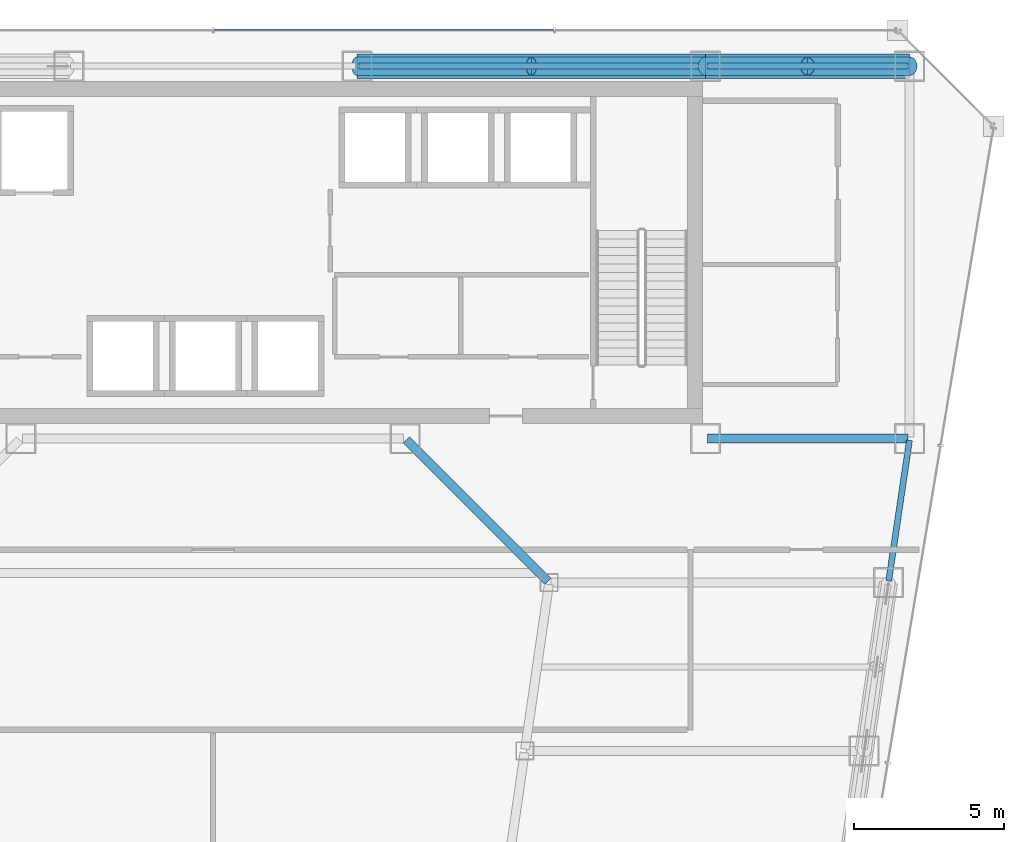
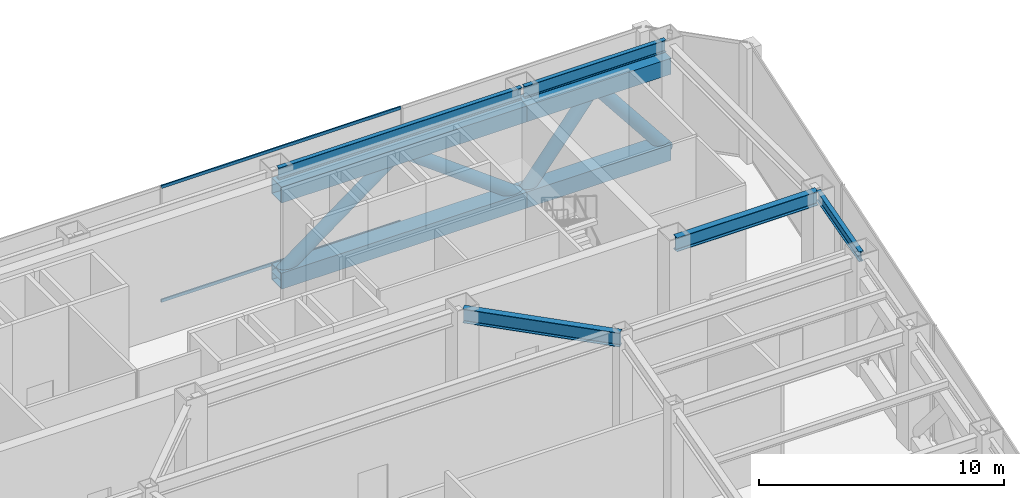
# One storey, part 21 of 30: 10 members, 5 beams, 1 element without a shape of its own.
"""IFC4 building model written with IfcOpenShell, lengths in metres."""

from ifc_helpers import new_model, si_unit, direction, frame, origin, origin_2d, place, context, subcontext, project, spatial, hollow_rectangle, hollow_circle, i_section, extrude, material, material_profile, profile_set, type_object, element, aggregate, save


model = new_model("IFC4")

# Units and contexts
model_context = context("Model", 3, precision=1e-05, world=origin(), true_north=direction((0.0, 1.0)))
body_context = subcontext(model_context, "Body", "Model", "MODEL_VIEW")
ifc_project = project(units=[si_unit("LENGTHUNIT", "METRE"), si_unit("AREAUNIT", "SQUARE_METRE"), si_unit("VOLUMEUNIT", "CUBIC_METRE"), si_unit("PLANEANGLEUNIT", "RADIAN"), si_unit("MASSUNIT", "GRAM", prefix="KILO")], contexts=[model_context])

# Site, building, storey
site_placement = place(None, origin())
site = spatial("IfcSite", under=ifc_project, at=site_placement, CompositionType="ELEMENT")
building_placement = place(site_placement, origin())
building = spatial("IfcBuilding", under=site, at=building_placement, Name="Saevonmaru Cultural Tower", CompositionType="ELEMENT")
storey_placement = place(building_placement, frame((0.0, 0.0, 123.60009765625)))
storey = spatial("IfcBuildingStorey", under=building, at=storey_placement, Name="L26", CompositionType="ELEMENT", Elevation=123.60009765625)

# Beams
ifc_material_1 = material(Name="Steel SM355", Category="steel")
ifc_material_profile_1 = material_profile(ifc_material_1, i_section(OverallWidth=0.300048828125, OverallDepth=0.699951171875, WebThickness=0.012939453125, FlangeThickness=0.02392578125, FilletRadius=0.02587890625, at=origin_2d()), Name="H-700x300x13x24")
ifc_profile_set_1 = profile_set([ifc_material_profile_1], Name="Steel SM355")
beam_type_1 = type_object("IfcBeamType", Name="BM-G-H700", PredefinedType="BEAM", material=ifc_profile_set_1)
beam_1_placement = place(storey_placement, frame((46.4599609375, 42.39990234375, 5.39990234375), z_axis=(1.0, 0.0, 0.0), x_axis=(0.0, 1.0, 0.0)))
element("IfcBeam", 1, at=beam_1_placement, inside=storey, type_object=beam_type_1, Name="L26 Core South Girder 5", PredefinedType="BEAM", context=body_context, shape_type="SweptSolid", body=[
    extrude(i_section(OverallWidth=0.300048828125, OverallDepth=0.699951171875, WebThickness=0.012939453125, FlangeThickness=0.02392578125, FilletRadius=0.02587890625, at=origin_2d()), origin(), (0.0, 0.0, 1.0), 6.679931640625),
])
beam_2_placement = place(storey_placement, frame((41.149658203125, 37.642578125, 5.39990234375), z_axis=(-0.706538566564, 0.707674539572, 0.0), x_axis=(-0.707674539572, -0.706538566564, 0.0)))
element("IfcBeam", 2, at=beam_2_placement, inside=storey, type_object=beam_type_1, Name="L26 East Atrium Girder 5", PredefinedType="BEAM", context=body_context, shape_type="SweptSolid", body=[
    extrude(i_section(OverallWidth=0.300048828125, OverallDepth=0.699951171875, WebThickness=0.012939453125, FlangeThickness=0.02392578125, FilletRadius=0.02587890625, at=origin_2d()), origin(), (0.0, 0.0, 1.0), 6.662353515625),
])
ifc_material_profile_2 = material_profile(ifc_material_1, i_section(OverallWidth=0.199951171875, OverallDepth=0.5, WebThickness=0.010009765625, FlangeThickness=0.01611328125, FilletRadius=0.02001953125, at=origin_2d()), Name="H-500x200x10x16")
ifc_profile_set_2 = profile_set([ifc_material_profile_2], Name="Steel SM355")
beam_type_2 = type_object("IfcBeamType", Name="BM-SP-H500", PredefinedType="SPANDREL", material=ifc_profile_set_2)
beam_3_placement = place(storey_placement, frame((52.500732421875, 37.659423828125, 5.5), z_axis=(0.145912860028, 0.989297446312, 0.0), x_axis=(-0.989297446312, 0.145912860028, 0.0)))
element("IfcBeam", 3, at=beam_3_placement, inside=storey, type_object=beam_type_2, Name="L26 East Splayed Spandrel 5", PredefinedType="SPANDREL", context=body_context, shape_type="SweptSolid", body=[
    extrude(i_section(OverallWidth=0.199951171875, OverallDepth=0.5, WebThickness=0.010009765625, FlangeThickness=0.01611328125, FilletRadius=0.02001953125, at=origin_2d()), origin(), (0.0, 0.0, 1.0), 4.731689453125),
])
ifc_material_profile_3 = material_profile(ifc_material_1, i_section(OverallWidth=0.199951171875, OverallDepth=0.60009765625, WebThickness=0.010986328125, FlangeThickness=0.01708984375, FilletRadius=0.02197265625, at=origin_2d()), Name="H-600x200x11x17")
ifc_profile_set_3 = profile_set([ifc_material_profile_3], Name="Steel SM355")
beam_type_3 = type_object("IfcBeamType", Name="BM-SP-H600", PredefinedType="SPANDREL", material=ifc_profile_set_3)
beam_4_placement = place(storey_placement, frame((34.860107421875, 54.800048828125, 5.449951171875), z_axis=(1.0, 0.0, 0.0), x_axis=(0.0, 1.0, 0.0)))
element("IfcBeam", 4, at=beam_4_placement, inside=storey, type_object=beam_type_3, Name="L26 North Spine Girder 4", PredefinedType="SPANDREL", context=body_context, shape_type="SweptSolid", body=[
    extrude(i_section(OverallWidth=0.199951171875, OverallDepth=0.60009765625, WebThickness=0.010986328125, FlangeThickness=0.01708984375, FilletRadius=0.02197265625, at=origin_2d()), origin(), (0.0, 0.0, 1.0), 11.47998046875),
])
beam_5_placement = place(storey_placement, frame((46.4599609375, 54.800048828125, 5.449951171875), z_axis=(1.0, 0.0, 0.0), x_axis=(0.0, 1.0, 0.0)))
element("IfcBeam", 5, at=beam_5_placement, inside=storey, type_object=beam_type_3, Name="L26 North Spine Girder 5", PredefinedType="SPANDREL", context=body_context, shape_type="SweptSolid", body=[
    extrude(i_section(OverallWidth=0.199951171875, OverallDepth=0.60009765625, WebThickness=0.010986328125, FlangeThickness=0.01708984375, FilletRadius=0.02197265625, at=origin_2d()), origin(), (0.0, 0.0, 1.0), 6.679931640625),
])

# Members
ifc_material_2 = material(Name="Steel HSA600 (600 MPa)", Category="steel")
ifc_material_profile_4 = material_profile(ifc_material_2, hollow_circle(Radius=0.3046875, WallThickness=0.02490234375, at=origin_2d()), Name="CHS-609.6x25")
ifc_profile_set_4 = profile_set([ifc_material_profile_4], Name="Steel HSA600 (600 MPa)")
member_type_1 = type_object("IfcMemberType", Name="MB-OBR-CHS610", PredefinedType="BRACE", material=ifc_profile_set_4)
member_1_placement = place(storey_placement, frame((34.800048828125, 54.800048828125, 0.2998046875), z_axis=(0.803310934869, 0.0, 0.595559855867), x_axis=(0.0, 1.0, 0.0)))
element("IfcMember", 6, at=member_1_placement, inside=storey, type_object=member_type_1, Name="L26 Outrigger Truss Diagonal OE1-1", PredefinedType="BRACE", context=body_context, shape_type="SweptSolid", body=[
    extrude(hollow_circle(Radius=0.3046875, WallThickness=0.02490234375, at=origin_2d()), origin(), (0.0, 0.0, 1.0), 7.22021484375),
])
member_2_placement = place(storey_placement, frame((46.39990234375, 54.800048828125, 0.2998046875), z_axis=(-0.803298940963, 0.0, 0.595576033305), x_axis=(0.0, -1.0, 0.0)))
element("IfcMember", 7, at=member_2_placement, inside=storey, type_object=member_type_1, Name="L26 Outrigger Truss Diagonal OE1-2", PredefinedType="BRACE", context=body_context, shape_type="SweptSolid", body=[
    extrude(hollow_circle(Radius=0.3046875, WallThickness=0.02490234375, at=origin_2d()), origin(), (0.0, 0.0, 1.0), 7.219970703125),
])
member_3_placement = place(storey_placement, frame((46.39990234375, 54.800048828125, 0.2998046875), z_axis=(0.620247692314, 0.0, 0.784406017429), x_axis=(0.0, 1.0, 0.0)))
element("IfcMember", 8, at=member_3_placement, inside=storey, type_object=member_type_1, Name="L26 Outrigger Truss Diagonal OE2-1", PredefinedType="BRACE", context=body_context, shape_type="SweptSolid", body=[
    extrude(hollow_circle(Radius=0.3046875, WallThickness=0.02490234375, at=origin_2d()), origin(), (0.0, 0.0, 1.0), 5.48193359375),
])
member_4_placement = place(storey_placement, frame((53.199951171875, 54.800048828125, 0.2998046875), z_axis=(-0.620220288728, 0.0, 0.784427685291), x_axis=(0.0, -1.0, 0.0)))
element("IfcMember", 9, at=member_4_placement, inside=storey, type_object=member_type_1, Name="L26 Outrigger Truss Diagonal OE2-2", PredefinedType="BRACE", context=body_context, shape_type="SweptSolid", body=[
    extrude(hollow_circle(Radius=0.3046875, WallThickness=0.02490234375, at=origin_2d()), origin(), (0.0, 0.0, 1.0), 5.481689453125),
])
ifc_material_profile_5 = material_profile(ifc_material_2, hollow_rectangle(XDim=0.800048828125, YDim=0.800048828125, WallThickness=0.035888671875, at=origin_2d()), Name="BOX-800x800x36")
ifc_profile_set_5 = profile_set([ifc_material_profile_5], Name="Steel HSA600 (600 MPa)")
member_type_2 = type_object("IfcMemberType", Name="MB-OCH-BOX800", PredefinedType="CHORD", material=ifc_profile_set_5)
for number, where, z_axis, x_axis, name in (
    (10, (34.800048828125, 54.800048828125, 0.2998046875), (1.0, 0.0, 0.0), (0.0, 1.0, 0.0), "L26 Outrigger Truss Bottom Chord OE1"),
    (11, (34.800048828125, 54.800048828125, 4.599853515625), (1.0, 0.0, 0.0), (0.0, 1.0, 0.0), "L26 Outrigger Truss Top Chord OE1"),
):
    element("IfcMember", number, at=place(storey_placement, frame(where, z_axis=z_axis, x_axis=x_axis)), inside=storey, type_object=member_type_2, Name=name, PredefinedType="CHORD", context=body_context, shape_type="SweptSolid", body=[
        extrude(hollow_rectangle(XDim=0.800048828125, YDim=0.800048828125, WallThickness=0.035888671875, at=origin_2d()), origin(), (0.0, 0.0, 1.0), 11.599853515625),
    ])
for number, where, z_axis, x_axis, name in (
    (12, (46.39990234375, 54.800048828125, 0.2998046875), (1.0, 0.0, 0.0), (0.0, 1.0, 0.0), "L26 Outrigger Truss Bottom Chord OE2"),
    (13, (46.39990234375, 54.800048828125, 4.599853515625), (1.0, 0.0, 0.0), (0.0, 1.0, 0.0), "L26 Outrigger Truss Top Chord OE2"),
):
    element("IfcMember", number, at=place(storey_placement, frame(where, z_axis=z_axis, x_axis=x_axis)), inside=storey, type_object=member_type_2, Name=name, PredefinedType="CHORD", context=body_context, shape_type="SweptSolid", body=[
        extrude(hollow_rectangle(XDim=0.800048828125, YDim=0.800048828125, WallThickness=0.035888671875, at=origin_2d()), origin(), (0.0, 0.0, 1.0), 6.800048828125),
    ])

# Curtain wall, members
ifc_material_3 = material(Name="Satin Bronze Anodised Aluminium", Category="aluminium")
curtain_wall_type = type_object("IfcCurtainWallType", Name="CW-TYP-A", PredefinedType="NOTDEFINED", material=ifc_material_3)
curtain_wall_placement = place(storey_placement, origin())
curtain_wall = element("IfcCurtainWall", 14, at=curtain_wall_placement, inside=storey, type_object=curtain_wall_type, Name="L26 Wind-Floor Acoustic Louvre Screen E10", PredefinedType="NOTDEFINED")
ifc_material_profile_6 = material_profile(ifc_material_3, hollow_rectangle(XDim=0.06494140625, YDim=0.14990234375, WallThickness=0.00390625, at=origin_2d()), Name="ALU-TRAN-150x65x4")
ifc_profile_set_6 = profile_set([ifc_material_profile_6], Name="Satin Bronze Anodised Aluminium")
member_type_3 = type_object("IfcMemberType", Name="TR-CW-150x65", PredefinedType="USERDEFINED", material=ifc_profile_set_6)
member_5_placement = place(storey_placement, frame((41.33740234375, 56.0, 0.032470703125), z_axis=(-1.0, 0.0, 0.0), x_axis=(0.0, -1.0, 0.0)))
member_5 = element("IfcMember", 15, at=member_5_placement, type_object=member_type_3, Name="CW-TW-L26-E10 transom 2.1", ObjectType="TRANSOM", PredefinedType="USERDEFINED", context=body_context, shape_type="SweptSolid", body=[
    extrude(hollow_rectangle(XDim=0.06494140625, YDim=0.14990234375, WallThickness=0.00390625, at=origin_2d()), origin(), (0.0, 0.0, 1.0), 11.304931640625),
])
member_6_placement = place(storey_placement, frame((41.33740234375, 56.0, 5.71728515625), z_axis=(-1.0, 0.0, 0.0), x_axis=(0.0, -1.0, 0.0)))
member_6 = element("IfcMember", 16, at=member_6_placement, type_object=member_type_3, Name="CW-TW-L26-E10 transom 2.2", ObjectType="TRANSOM", PredefinedType="USERDEFINED", context=body_context, shape_type="SweptSolid", body=[
    extrude(hollow_rectangle(XDim=0.06494140625, YDim=0.14990234375, WallThickness=0.00390625, at=origin_2d()), origin(), (0.0, 0.0, 1.0), 11.304931640625),
])
aggregate(curtain_wall, [member_5, member_6])

save(model, "model.ifc")
